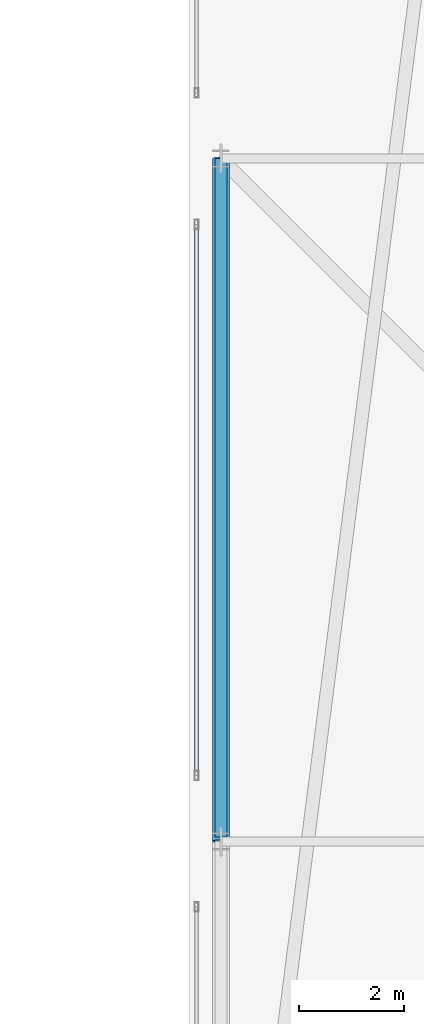
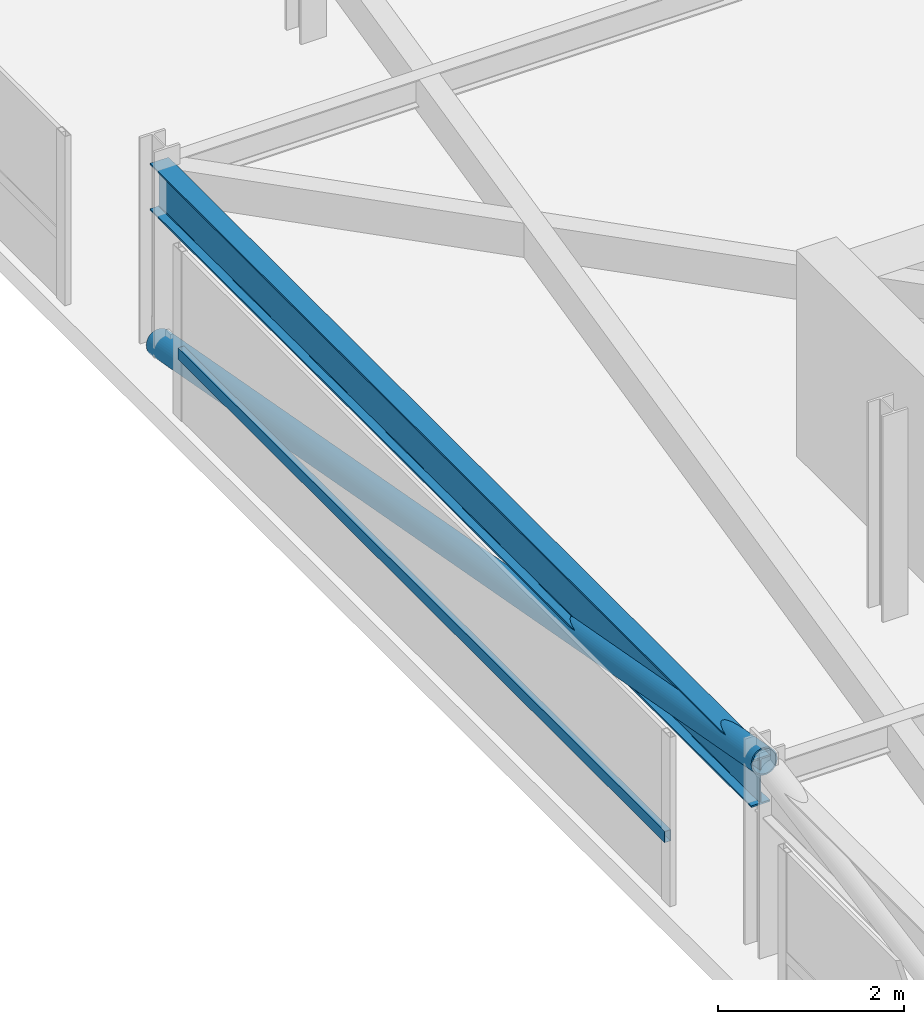
# One storey, part 21 of 42: 2 members, 1 beam, 1 element without a shape of its own.
"""IFC4 building model written with IfcOpenShell, lengths in metres."""

from ifc_helpers import new_model, si_unit, direction, frame, origin, origin_2d, place, context, subcontext, project, spatial, hollow_rectangle, hollow_circle, i_section, extrude, material, material_profile, profile_set, type_object, element, aggregate, save


model = new_model("IFC4")

# Units and contexts
model_context = context("Model", 3, precision=1e-05, world=origin(), true_north=direction((0.0, 1.0)))
body_context = subcontext(model_context, "Body", "Model", "MODEL_VIEW")
ifc_project = project(units=[si_unit("LENGTHUNIT", "METRE"), si_unit("AREAUNIT", "SQUARE_METRE"), si_unit("VOLUMEUNIT", "CUBIC_METRE"), si_unit("PLANEANGLEUNIT", "RADIAN"), si_unit("MASSUNIT", "GRAM", prefix="KILO")], contexts=[model_context])

# Site, building, storey
site_placement = place(None, origin())
site = spatial("IfcSite", under=ifc_project, at=site_placement, CompositionType="ELEMENT")
building_placement = place(site_placement, origin())
building = spatial("IfcBuilding", under=site, at=building_placement, Name="Thornwick Lancets Civic Towers", CompositionType="ELEMENT")
storey_placement = place(building_placement, frame((0.0, 0.0, 284.10009765625)))
storey = spatial("IfcBuildingStorey", under=building, at=storey_placement, Name="C02", CompositionType="ELEMENT", Elevation=284.10009765625)

# Beam
ifc_material_1 = material(Name="Steel S355JR", Category="steel")
ifc_material_profile_1 = material_profile(ifc_material_1, i_section(OverallWidth=0.230224609375, OverallDepth=0.6171875, WebThickness=0.01318359375, FlangeThickness=0.022216796875, FilletRadius=0.0126953125, at=origin_2d()), Name="UKB 610x229x140")
ifc_profile_set_1 = profile_set([ifc_material_profile_1], Name="Steel S355JR")
beam_type = type_object("IfcBeamType", Name="BM_GIRD_610_140", PredefinedType="BEAM", material=ifc_profile_set_1)
beam_placement = place(storey_placement, frame((71.199951171875, 27.080078125, 2.13134765625), z_axis=(0.0, 1.0, 0.0), x_axis=(-1.0, 0.0, 0.0)))
element("IfcBeam", 1, at=beam_placement, inside=storey, type_object=beam_type, Name="BM-SPINE-C02-B-7-8", PredefinedType="BEAM", context=body_context, shape_type="SweptSolid", body=[
    extrude(i_section(OverallWidth=0.230224609375, OverallDepth=0.6171875, WebThickness=0.01318359375, FlangeThickness=0.022216796875, FilletRadius=0.0126953125, at=origin_2d()), origin(), (0.0, 0.0, 1.0), 12.919921875),
])

# Curtain wall, member
ifc_material_2 = material(Name="Crown ring acoustic-louvre and glazing screen wall", Category="glass")
curtain_wall_type = type_object("IfcCurtainWallType", Name="CW_SYS_07", PredefinedType="NOTDEFINED", material=ifc_material_2)
curtain_wall_placement = place(storey_placement, origin())
curtain_wall = element("IfcCurtainWall", 2, at=curtain_wall_placement, inside=storey, type_object=curtain_wall_type, Name="C02 Curtain Wall CW-C02-B-E6-S2", PredefinedType="NOTDEFINED")
ifc_material_3 = material(Name="Thermally broken bronze aluminium S355", Category="steel")
ifc_material_profile_2 = material_profile(ifc_material_3, hollow_rectangle(XDim=0.074951171875, YDim=0.14990234375, WallThickness=0.0048828125, at=origin_2d()), Name="RHS 150x75x5")
ifc_profile_set_2 = profile_set([ifc_material_profile_2], Name="Thermally broken bronze aluminium S355")
member_type_1 = type_object("IfcMemberType", Name="CW_TRN_150", PredefinedType="USERDEFINED", material=ifc_profile_set_2)
member_1_placement = place(storey_placement, frame((70.7353515625, 38.72998046875, 0.849853515625), z_axis=(0.0, -1.0, 0.0), x_axis=(1.0, 0.0, 0.0)))
member_1 = element("IfcMember", 3, at=member_1_placement, type_object=member_type_1, Name="CW-C02-B-E6-S2 Transom 0", ObjectType="TRANSOM", PredefinedType="USERDEFINED", context=body_context, shape_type="SweptSolid", body=[
    extrude(hollow_rectangle(XDim=0.074951171875, YDim=0.14990234375, WallThickness=0.0048828125, at=origin_2d()), origin(), (0.0, 0.0, 1.0), 10.4599609375),
])
aggregate(curtain_wall, [member_1])

# Member
ifc_material_profile_3 = material_profile(ifc_material_1, hollow_circle(Radius=0.161865234375, WallThickness=0.01611328125, at=origin_2d()), Name="CHS 323.9x16")
ifc_profile_set_3 = profile_set([ifc_material_profile_3], Name="Steel S355JR")
member_type_2 = type_object("IfcMemberType", Name="MEM_CROWN_CHS324", PredefinedType="BRACE", material=ifc_profile_set_3)
member_2_placement = place(storey_placement, frame((71.199951171875, 40.0, 0.0498046875), z_axis=(0.0, -0.983515136313, 0.180825818519), x_axis=(1.0, 0.0, 0.0)))
element("IfcMember", 4, at=member_2_placement, inside=storey, type_object=member_type_2, Name="C02 Crown Ring Lancet Rib B-S2-R", PredefinedType="BRACE", context=body_context, shape_type="SweptSolid", body=[
    extrude(hollow_circle(Radius=0.161865234375, WallThickness=0.01611328125, at=origin_2d()), origin(), (0.0, 0.0, 1.0), 13.2177734375),
])

save(model, "model.ifc")
